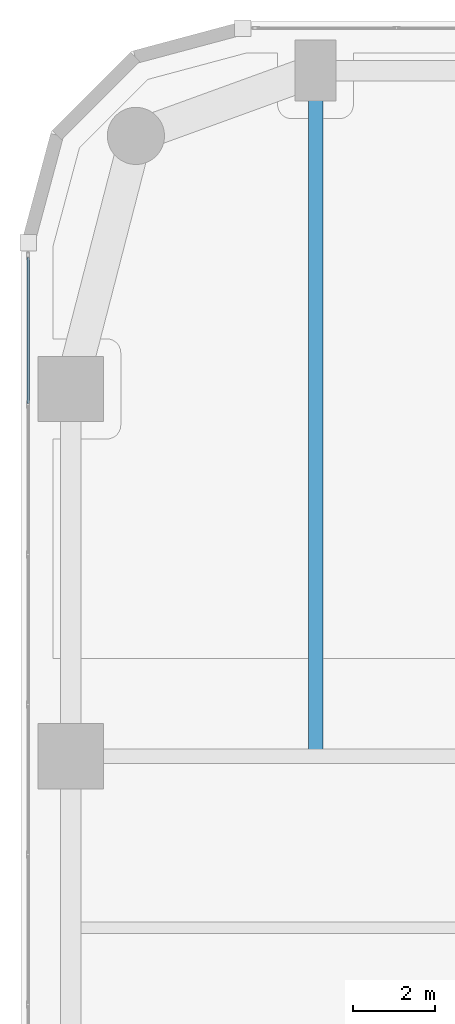
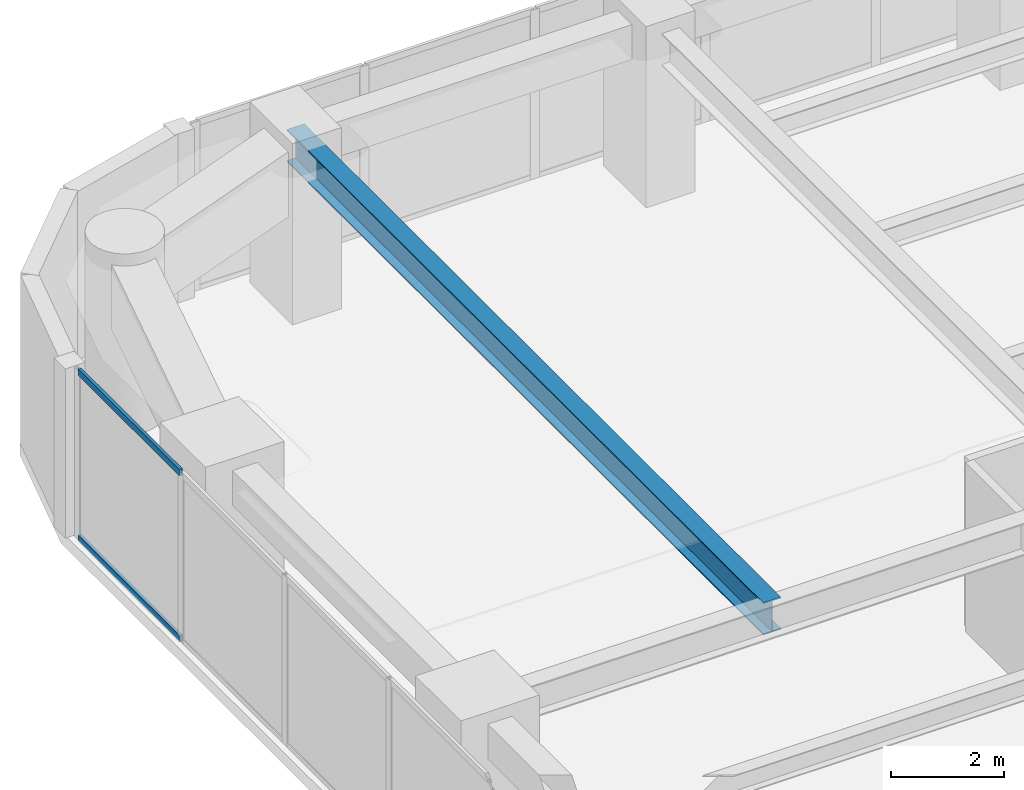
# One storey, part 13 of 29: 2 members, 1 beam, 1 element without a shape of its own.
"""IFC4 building model written with IfcOpenShell, lengths in metres."""

import ifcopenshell
import ifcopenshell.guid

model = None  # the IFC model being written
_history = None  # IfcOwnerHistory: only IFC2X3 demands one
_inside = {}  # id of a spatial element -> (the spatial element, [elements in it])
_under = {}  # id of a project, library or spatial element -> (it, [spatial elements below it])
_declared = {}  # id of a project -> (the project, [libraries it declares])
_typed = {}  # id of a type object -> (the type object, [elements of that type])
_made_of = {}  # id of a material, layer set ... -> (it, [elements and type objects made of it])


def new_model(schema):
    """Start an empty IFC model of exactly this schema.

    Asked for "IFC4X3", IfcOpenShell would pick the latest addendum, in which some entities
    have other attributes; the version numbers below select the first issue.
    IFC2X3 requires an IfcOwnerHistory on every rooted entity: one is made here for all.
    """
    global model, _history
    if schema == "IFC4X3":
        model = ifcopenshell.file(schema_version=(4, 3, 0, 0))
    else:
        model = ifcopenshell.file(schema=schema)
    _inside.clear()
    _under.clear()
    _declared.clear()
    _typed.clear()
    _made_of.clear()
    _history = None
    if model.schema == "IFC2X3":
        org = make("IfcOrganization", Name="unknown")
        user = make(
            "IfcPersonAndOrganization",
            ThePerson=make("IfcPerson", FamilyName="unknown"),
            TheOrganization=org,
        )
        app = make(
            "IfcApplication",
            ApplicationDeveloper=org,
            Version="unknown",
            ApplicationFullName="unknown",
            ApplicationIdentifier="unknown",
        )
        _history = make(
            "IfcOwnerHistory",
            OwningUser=user,
            OwningApplication=app,
            ChangeAction="ADDED",
            CreationDate=0,
        )
    return model


def make(cls, **values):
    """One entity of the class cls with the attributes given. An attribute that is None is left unset."""
    return model.create_entity(
        cls, **{name: value for name, value in values.items() if value is not None}
    )


def rooted(cls, **values):
    """An entity with a GlobalId (a new one), such as an element, a storey or a relation."""
    return make(cls, GlobalId=ifcopenshell.guid.new(), OwnerHistory=_history, **values)


def si_unit(unit_type, name, prefix=None):
    """IfcSIUnit, for example si_unit("LENGTHUNIT", "METRE", prefix="MILLI")."""
    return make("IfcSIUnit", UnitType=unit_type, Prefix=prefix, Name=name)


def assignment(units):
    """IfcUnitAssignment: the units of a project."""
    return None if units is None else make("IfcUnitAssignment", Units=units)


def point(xyz):
    """IfcCartesianPoint."""
    return None if xyz is None else make("IfcCartesianPoint", Coordinates=xyz)


def direction(xyz):
    """IfcDirection."""
    return None if xyz is None else make("IfcDirection", DirectionRatios=xyz)


def frame(location, z_axis=None, x_axis=None):
    """IfcAxis2Placement3D, a coordinate frame: its origin and axes. An axis left out is left unset."""
    return make(
        "IfcAxis2Placement3D",
        Location=point(location),
        Axis=direction(z_axis),
        RefDirection=direction(x_axis),
    )


def frame_2d(location, x_axis=None):
    """IfcAxis2Placement2D, a coordinate frame in the plane: its origin and x axis."""
    return make(
        "IfcAxis2Placement2D", Location=point(location), RefDirection=direction(x_axis)
    )


def origin():
    """The frame at (0, 0, 0) with its axes left unset."""
    return frame((0.0, 0.0, 0.0))


def origin_2d():
    """The frame at (0, 0) in the plane with its x axis left unset."""
    return frame_2d((0.0, 0.0))


def place(relative_to, where):
    """IfcLocalPlacement: puts the frame where relative to a parent placement (None: the world)."""
    return make(
        "IfcLocalPlacement", PlacementRelTo=relative_to, RelativePlacement=where
    )


def context(
    kind, dimensions, precision=None, world=None, true_north=None, identifier=None
):
    """IfcGeometricRepresentationContext, for example the 3D "Model" context."""
    return make(
        "IfcGeometricRepresentationContext",
        ContextIdentifier=identifier,
        ContextType=kind,
        CoordinateSpaceDimension=dimensions,
        Precision=precision,
        WorldCoordinateSystem=world,
        TrueNorth=true_north,
    )


def subcontext(parent, identifier, kind, view, scale=None):
    """IfcGeometricRepresentationSubContext, for example "Body" below "Model"."""
    return make(
        "IfcGeometricRepresentationSubContext",
        ContextIdentifier=identifier,
        ContextType=kind,
        ParentContext=parent,
        TargetScale=scale,
        TargetView=view,
    )


def project(units=None, contexts=None):
    """IfcProject with its units and contexts."""
    return rooted(
        "IfcProject",
        Name="project",
        RepresentationContexts=contexts,
        UnitsInContext=assignment(units),
    )


def spatial(cls, under=None, at=None, **own):
    """A site, building, storey or space (cls), placed at a placement, below another one or the project."""
    s = rooted(cls, ObjectPlacement=at, **own)
    if under is not None:
        _under.setdefault(under.id(), (under, []))[1].append(s)
    return s


def profile(cls, at=None, kind="AREA", **sizes):
    """A parametric profile (cls). Its sizes go by their IFC names, for example OverallWidth=200.0."""
    return make(cls, ProfileType=kind, Position=at, **sizes)


def hollow_rectangle(**sizes):
    """IfcRectangleHollowProfileDef."""
    return profile("IfcRectangleHollowProfileDef", **sizes)


def i_section(**sizes):
    """IfcIShapeProfileDef."""
    return profile("IfcIShapeProfileDef", **sizes)


def extrude(swept, where, along, depth):
    """IfcExtrudedAreaSolid: the profile swept, set in the frame where, extruded along a direction by depth."""
    return make(
        "IfcExtrudedAreaSolid",
        SweptArea=swept,
        Position=where,
        ExtrudedDirection=direction(along),
        Depth=depth,
    )


def shape(context_of_items, identifier, shape_type, items):
    """IfcShapeRepresentation: the items that make up one representation, for example the "Body"."""
    return make(
        "IfcShapeRepresentation",
        ContextOfItems=context_of_items,
        RepresentationIdentifier=identifier,
        RepresentationType=shape_type,
        Items=items,
    )


def material(Name=None, Category=None):
    """IfcMaterial."""
    return make("IfcMaterial", Name=Name, Category=Category)


def layer(
    of_material, thickness, ventilated=None, Name=None, Category=None, Priority=None
):
    """IfcMaterialLayer: one layer of a wall or slab, of a material (None: an air gap)."""
    return make(
        "IfcMaterialLayer",
        Material=of_material,
        LayerThickness=thickness,
        IsVentilated=ventilated,
        Name=Name,
        Category=Category,
        Priority=Priority,
    )


def layer_set(layers, Name=None):
    """IfcMaterialLayerSet."""
    return make("IfcMaterialLayerSet", MaterialLayers=layers, LayerSetName=Name)


def material_profile(
    of_material, cross_section, Name=None, Category=None, Priority=None
):
    """IfcMaterialProfile: a cross section and its material."""
    return make(
        "IfcMaterialProfile",
        Name=Name,
        Material=of_material,
        Profile=cross_section,
        Priority=Priority,
        Category=Category,
    )


def profile_set(profiles, Name=None, composite=None):
    """IfcMaterialProfileSet."""
    return make(
        "IfcMaterialProfileSet",
        Name=Name,
        MaterialProfiles=profiles,
        CompositeProfile=composite,
    )


def made_of(thing, what):
    """Note that an element or type object is made of a material, layer set ...; save() writes the relation."""
    if what is not None:
        _made_of.setdefault(what.id(), (what, []))[1].append(thing)
    return thing


def type_object(cls, material=None, **own):
    """A type object (cls), such as IfcWallType, which elements share."""
    return made_of(rooted(cls, **own), material)


def element(
    cls,
    number,
    at=None,
    inside=None,
    cuts=None,
    type_object=None,
    material=None,
    context=None,
    identifier="Body",
    shape_type=None,
    held_by="IfcProductDefinitionShape",
    body=None,
    shapes=None,
    **own,
):
    """One element of the class cls, such as IfcWall. Its Tag is "e" and its number.

    at: its placement. inside: the storey or other place that contains it. cuts: it is an
    opening in that element (IfcRelVoidsElement). A single representation is given by context,
    identifier, shape_type and body (its items); several are given by shapes. held_by: the class
    of the entity that holds the representations. save() writes the other relations.
    """
    e = rooted(cls, Tag="e%d" % number, ObjectPlacement=at, **own)
    if body is not None:
        shapes = [shape(context, identifier, shape_type, body)]
    if shapes is not None:
        e.Representation = make(held_by, Representations=shapes)
    if inside is not None:
        _inside.setdefault(inside.id(), (inside, []))[1].append(e)
    if cuts is not None:
        rooted(
            "IfcRelVoidsElement", RelatingBuildingElement=cuts, RelatedOpeningElement=e
        )
    if type_object is not None:
        _typed.setdefault(type_object.id(), (type_object, []))[1].append(e)
    return made_of(e, material)


def aggregate(whole, parts):
    """IfcRelAggregates: a whole, such as a stair, and the parts it consists of."""
    return rooted("IfcRelAggregates", RelatingObject=whole, RelatedObjects=parts)


def save(model, path):
    """Write the relations noted so far, then the file.

    IfcRelAggregates (storeys below a building ...), IfcRelContainedInSpatialStructure (elements
    in a storey), IfcRelDefinesByType, IfcRelAssociatesMaterial and IfcRelDeclares: one each for
    every whole, place, type object, material and project.
    """
    for whole, parts in _under.values():
        aggregate(whole, parts)
    for where, things in _inside.values():
        rooted(
            "IfcRelContainedInSpatialStructure",
            RelatedElements=things,
            RelatingStructure=where,
        )
    for kind, things in _typed.values():
        rooted("IfcRelDefinesByType", RelatedObjects=things, RelatingType=kind)
    for what, things in _made_of.values():
        rooted("IfcRelAssociatesMaterial", RelatedObjects=things, RelatingMaterial=what)
    for by, libraries in _declared.values():
        rooted("IfcRelDeclares", RelatingContext=by, RelatedDefinitions=libraries)
    model.write(path)


model = new_model("IFC4")

# Units and contexts
model_context = context("Model", 3, precision=1e-05, world=origin(), true_north=direction((0.0, 1.0)))
body_context = subcontext(model_context, "Body", "Model", "MODEL_VIEW")
ifc_project = project(units=[si_unit("LENGTHUNIT", "METRE"), si_unit("AREAUNIT", "SQUARE_METRE"), si_unit("VOLUMEUNIT", "CUBIC_METRE"), si_unit("PLANEANGLEUNIT", "RADIAN"), si_unit("MASSUNIT", "GRAM", prefix="KILO")], contexts=[model_context])

# Site, building, storey
site_placement = place(None, origin())
site = spatial("IfcSite", under=ifc_project, at=site_placement, CompositionType="ELEMENT")
building_placement = place(site_placement, origin())
building = spatial("IfcBuilding", under=site, at=building_placement, Name="Kiyonajd Concourse Tower", CompositionType="ELEMENT")
storey_placement = place(building_placement, frame((0.0, 0.0, 25.5)))
storey = spatial("IfcBuildingStorey", under=building, at=storey_placement, Name="L07", CompositionType="ELEMENT", Elevation=25.5)

# Beam
ifc_material_1 = material(Name="Steel ASTM A992 Grade 50", Category="steel")
ifc_material_profile_1 = material_profile(ifc_material_1, i_section(OverallWidth=0.35498046875, OverallDepth=0.695068359375, WebThickness=0.015380859375, FlangeThickness=0.02490234375, at=origin_2d()), Name="W690X217")
ifc_profile_set_1 = profile_set([ifc_material_profile_1], Name="Steel ASTM A992 Grade 50")
beam_type = type_object("IfcBeamType", Name="BM-TWR-690", PredefinedType="BEAM", material=ifc_profile_set_1)
beam_placement = place(storey_placement, frame((25.199951171875, 44.39990234375, 3.29248046875), z_axis=(0.0, 1.0, 0.0), x_axis=(-1.0, 0.0, 0.0)))
element("IfcBeam", 1, at=beam_placement, inside=storey, type_object=beam_type, Name="L07 North Lease Girder", PredefinedType="BEAM", context=body_context, shape_type="SweptSolid", body=[
    extrude(i_section(OverallWidth=0.35498046875, OverallDepth=0.695068359375, WebThickness=0.015380859375, FlangeThickness=0.02490234375, at=origin_2d()), origin(), (0.0, 0.0, 1.0), 16.800048828125),
])

# Curtain wall, members
ifc_material_2 = material(Name="Thermally Broken Anodised Aluminium", Category="aluminium")
ifc_layer = layer(ifc_material_2, 0.179931640625)
ifc_layer_set = layer_set([ifc_layer], Name="Thermally Broken Anodised Aluminium")
curtain_wall_type = type_object("IfcCurtainWallType", Name="CW-SYS-02", PredefinedType="NOTDEFINED", material=ifc_layer_set)
curtain_wall_placement = place(storey_placement, origin())
curtain_wall = element("IfcCurtainWall", 2, at=curtain_wall_placement, inside=storey, type_object=curtain_wall_type, Name="L07 Unitised Curtain Wall CW2", PredefinedType="NOTDEFINED")
ifc_material_profile_2 = material_profile(ifc_material_2, hollow_rectangle(XDim=0.06494140625, YDim=0.139892578125, WallThickness=0.00390625, at=origin_2d()), Name="TRAN-65x140")
ifc_profile_set_2 = profile_set([ifc_material_profile_2], Name="Thermally Broken Anodised Aluminium")
member_type = type_object("IfcMemberType", Name="MB-CW-TRAN1", PredefinedType="USERDEFINED", material=ifc_profile_set_2)
member_1_placement = place(storey_placement, frame((18.159912109375, 53.04833984375, 0.032470703125), z_axis=(0.0, 1.0, 0.0), x_axis=(-1.0, 0.0, 0.0)))
member_1 = element("IfcMember", 3, at=member_1_placement, type_object=member_type, Name="CW2 transom 6.1", ObjectType="TRANSOM", PredefinedType="USERDEFINED", context=body_context, shape_type="SweptSolid", body=[
    extrude(hollow_rectangle(XDim=0.06494140625, YDim=0.139892578125, WallThickness=0.00390625, at=origin_2d()), origin(), (0.0, 0.0, 1.0), 3.575439453125),
])
member_2_placement = place(storey_placement, frame((18.159912109375, 53.04833984375, 3.607421875), z_axis=(0.0, 1.0, 0.0), x_axis=(-1.0, 0.0, 0.0)))
member_2 = element("IfcMember", 4, at=member_2_placement, type_object=member_type, Name="CW2 transom 6.2", ObjectType="TRANSOM", PredefinedType="USERDEFINED", context=body_context, shape_type="SweptSolid", body=[
    extrude(hollow_rectangle(XDim=0.06494140625, YDim=0.139892578125, WallThickness=0.00390625, at=origin_2d()), origin(), (0.0, 0.0, 1.0), 3.575439453125),
])
aggregate(curtain_wall, [member_1, member_2])

save(model, "model.ifc")
